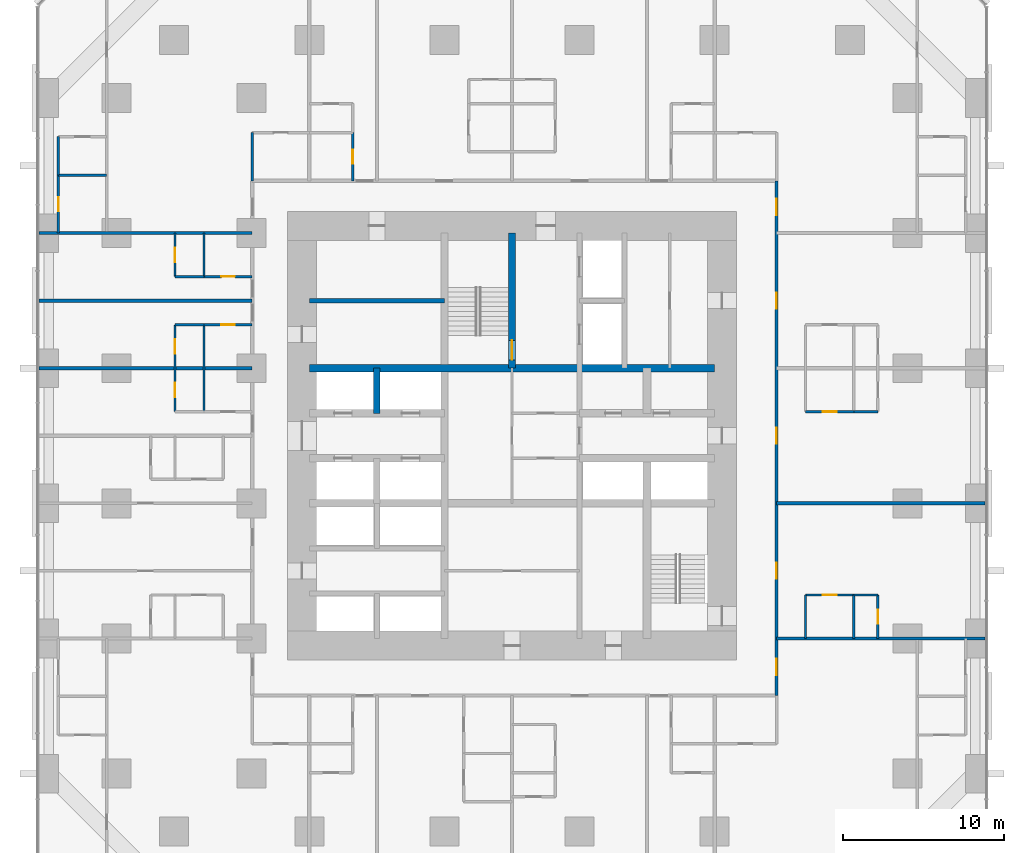
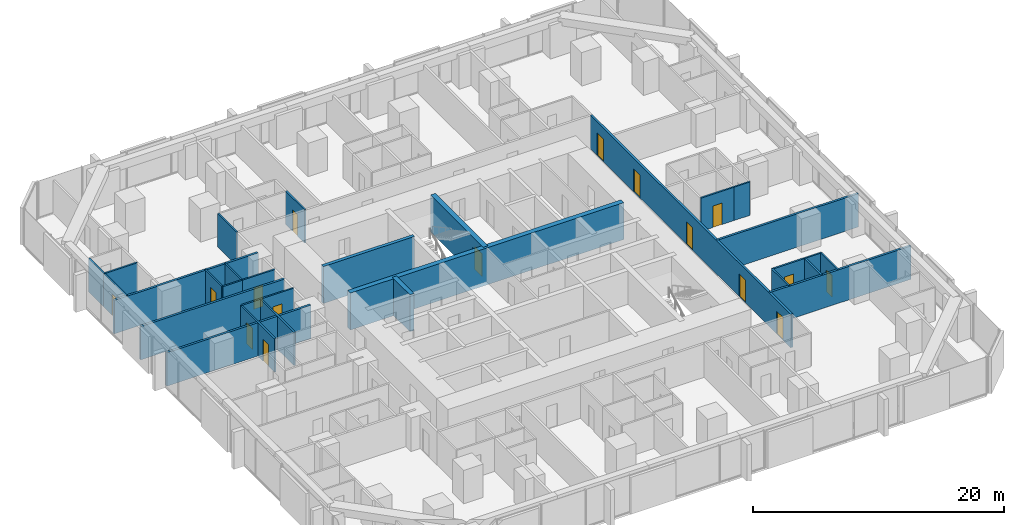
# One storey, part 14 of 17: 30 walls, 16 doors, 16 openings.
"""IFC4 building model written with IfcOpenShell, lengths in metres."""

from ifc_helpers import new_model, si_unit, direction, frame, frame_2d, origin, place, context, subcontext, project, spatial, rectangle, extrude, material, layer, layer_set, type_object, element, fill, save


model = new_model("IFC4")

# Units and contexts
model_context = context("Model", 3, precision=1e-05, world=origin(), true_north=direction((0.0, 1.0)))
body_context = subcontext(model_context, "Body", "Model", "MODEL_VIEW")
ifc_project = project(units=[si_unit("LENGTHUNIT", "METRE"), si_unit("AREAUNIT", "SQUARE_METRE"), si_unit("VOLUMEUNIT", "CUBIC_METRE"), si_unit("PLANEANGLEUNIT", "RADIAN"), si_unit("MASSUNIT", "GRAM", prefix="KILO")], contexts=[model_context])

# Site, building, storey
site_placement = place(None, origin())
site = spatial("IfcSite", under=ifc_project, at=site_placement, CompositionType="ELEMENT")
building_placement = place(site_placement, origin())
building = spatial("IfcBuilding", under=site, at=building_placement, Name="Dunama Terrace Hotel", CompositionType="ELEMENT")
storey_placement = place(building_placement, frame((0.0, 0.0, 41.39990234375)))
storey = spatial("IfcBuildingStorey", under=building, at=storey_placement, Name="L09", CompositionType="ELEMENT", Elevation=41.39990234375)

# Wall, opening, door
ifc_material_1 = material(Name="Gypsum board partition", Category="masonry")
ifc_layer_1 = layer(ifc_material_1, 0.14990234375)
ifc_layer_set_1 = layer_set([ifc_layer_1], Name="Bathroom partition 150")
wall_type_1 = type_object("IfcWallType", Name="Bathroom partition 150", PredefinedType="PARTITIONING", material=ifc_layer_set_1)
wall_1_placement = place(storey_placement, frame((1.199951171875, 42.0, 0.0), z_axis=(0.0, 0.0, 1.0), x_axis=(0.0, 1.0, 0.0)))
wall_1 = element("IfcWall", 1, at=wall_1_placement, inside=storey, type_object=wall_type_1, Name="Bathroom partition 150 L09", PredefinedType="PARTITIONING", context=body_context, shape_type="SweptSolid", body=[
    extrude(rectangle(XDim=3.60009765625, YDim=0.14990234375, at=frame_2d((1.800048828125, 0.0))), origin(), (0.0, 0.0, 1.0), 3.25),
])
opening_1_placement = place(wall_1_placement, frame((1.375, 0.0, 0.0)))
opening_1 = element("IfcOpeningElement", 2, at=opening_1_placement, cuts=wall_1, Name="Opening L07-09-076", PredefinedType="OPENING", context=body_context, shape_type="SweptSolid", body=[
    extrude(rectangle(XDim=0.85009765625, YDim=2.10009765625, at=frame_2d((0.425048828125, 1.050048828125))), frame((0.0, 0.0849609375, 0.0), z_axis=(0.0, -1.0, 0.0), x_axis=(1.0, 0.0, 0.0)), (0.0, 0.0, 1.0), 0.169921875),
])
ifc_material_2 = material(Name="Timber door with steel frame", Category="steel")
door_type_1 = type_object("IfcDoorType", Name="Bathroom door 850", OperationType="SINGLE_SWING_LEFT", PredefinedType="DOOR", material=ifc_material_2)
door_1_placement = place(opening_1_placement, frame((0.85009765625, 0.0, 0.0), z_axis=(0.0, 0.0, 1.0), x_axis=(-1.0, 0.0, 0.0)))
door_1 = element("IfcDoor", 3, at=door_1_placement, inside=storey, type_object=door_type_1, Name="Door to en-suite bathroom L07-09-076, type D2", OperationType="SINGLE_SWING_RIGHT", OverallHeight=2.10009765625, OverallWidth=0.85009765625, PredefinedType="DOOR", context=body_context, shape_type="SweptSolid", body=[
    extrude(rectangle(XDim=0.85009765625, YDim=2.10009765625, at=frame_2d((0.425048828125, 1.050048828125))), frame((0.0, 0.025146484375, 0.0), z_axis=(0.0, -1.0, 0.0), x_axis=(1.0, 0.0, 0.0)), (0.0, 0.0, 1.0), 0.050048828125),
])
fill(opening_1, door_1)

# Wall
wall_2_placement = place(storey_placement, frame((13.25, 45.25, 0.0), z_axis=(0.0, 0.0, 1.0), x_axis=(0.0, 1.0, 0.0)))
element("IfcWall", 4, at=wall_2_placement, inside=storey, type_object=wall_type_1, Name="Bathroom partition 150 L09", PredefinedType="PARTITIONING", context=body_context, shape_type="SweptSolid", body=[
    extrude(rectangle(XDim=3.0, YDim=0.14990234375, at=frame_2d((1.5, 0.0))), origin(), (0.0, 0.0, 1.0), 3.25),
])

# Wall, opening, door
wall_3_placement = place(storey_placement, frame((19.5, 45.25, 0.0), z_axis=(0.0, 0.0, 1.0), x_axis=(0.0, 1.0, 0.0)))
wall_3 = element("IfcWall", 5, at=wall_3_placement, inside=storey, type_object=wall_type_1, Name="Bathroom partition 150 L09", PredefinedType="PARTITIONING", context=body_context, shape_type="SweptSolid", body=[
    extrude(rectangle(XDim=3.0, YDim=0.14990234375, at=frame_2d((1.5, 0.0))), origin(), (0.0, 0.0, 1.0), 3.25),
])
opening_2_placement = place(wall_3_placement, frame((1.074951171875, 0.0, 0.0)))
opening_2 = element("IfcOpeningElement", 6, at=opening_2_placement, cuts=wall_3, Name="Opening L07-09-031", PredefinedType="OPENING", context=body_context, shape_type="SweptSolid", body=[
    extrude(rectangle(XDim=0.85009765625, YDim=2.10009765625, at=frame_2d((0.425048828125, 1.050048828125))), frame((0.0, 0.0849609375, 0.0), z_axis=(0.0, -1.0, 0.0), x_axis=(1.0, 0.0, 0.0)), (0.0, 0.0, 1.0), 0.169921875),
])
door_2_placement = place(opening_2_placement, origin())
door_2 = element("IfcDoor", 7, at=door_2_placement, inside=storey, type_object=door_type_1, Name="Door to en-suite bathroom L07-09-031, type D2", OperationType="SINGLE_SWING_LEFT", OverallHeight=2.10009765625, OverallWidth=0.85009765625, PredefinedType="DOOR", context=body_context, shape_type="SweptSolid", body=[
    extrude(rectangle(XDim=0.85009765625, YDim=2.10009765625, at=frame_2d((0.425048828125, 1.050048828125))), frame((0.0, 0.02490234375, 0.0), z_axis=(0.0, -1.0, 0.0), x_axis=(1.0, 0.0, 0.0)), (0.0, 0.0, 1.0), 0.050048828125),
])
fill(opening_2, door_2)

# Wall
wall_4_placement = place(storey_placement, frame((47.64990234375, 16.800048828125, 0.0), z_axis=(0.0, 0.0, 1.0), x_axis=(0.0, 1.0, 0.0)))
element("IfcWall", 8, at=wall_4_placement, inside=storey, type_object=wall_type_1, Name="Bathroom partition 150 L09", PredefinedType="PARTITIONING", context=body_context, shape_type="SweptSolid", body=[
    extrude(rectangle(XDim=2.699951171875, YDim=0.14990234375, at=frame_2d((1.35009765625, 0.0))), origin(), (0.0, 0.0, 1.0), 3.25),
])

# Wall, opening, door
wall_5_placement = place(storey_placement, frame((47.64990234375, 19.5, 0.0), z_axis=(0.0, 0.0, 1.0), x_axis=(1.0, 0.0, 0.0)))
wall_5 = element("IfcWall", 9, at=wall_5_placement, inside=storey, type_object=wall_type_1, Name="Bathroom partition 150 L09", PredefinedType="PARTITIONING", context=body_context, shape_type="SweptSolid", body=[
    extrude(rectangle(XDim=3.0, YDim=0.14990234375, at=frame_2d((1.5, 0.0))), origin(), (0.0, 0.0, 1.0), 3.25),
])
opening_3_placement = place(wall_5_placement, frame((1.074951171875, 0.0, 0.0)))
opening_3 = element("IfcOpeningElement", 10, at=opening_3_placement, cuts=wall_5, Name="Opening L07-09-022", PredefinedType="OPENING", context=body_context, shape_type="SweptSolid", body=[
    extrude(rectangle(XDim=0.85009765625, YDim=2.10009765625, at=frame_2d((0.425048828125, 1.050048828125))), frame((0.0, 0.0849609375, 0.0), z_axis=(0.0, -1.0, 0.0), x_axis=(1.0, 0.0, 0.0)), (0.0, 0.0, 1.0), 0.169921875),
])
door_3_placement = place(opening_3_placement, frame((0.85009765625, 0.0, 0.0), z_axis=(0.0, 0.0, 1.0), x_axis=(-1.0, 0.0, 0.0)))
door_3 = element("IfcDoor", 11, at=door_3_placement, inside=storey, type_object=door_type_1, Name="Door to en-suite bathroom L07-09-022, type D2", OperationType="SINGLE_SWING_LEFT", OverallHeight=2.10009765625, OverallWidth=0.85009765625, PredefinedType="DOOR", context=body_context, shape_type="SweptSolid", body=[
    extrude(rectangle(XDim=0.85009765625, YDim=2.10009765625, at=frame_2d((0.425048828125, 1.050048828125))), frame((0.0, 0.025146484375, 0.0), z_axis=(0.0, -1.0, 0.0), x_axis=(1.0, 0.0, 0.0)), (0.0, 0.0, 1.0), 0.050048828125),
])
fill(opening_3, door_3)

wall_6_placement = place(storey_placement, frame((47.64990234375, 30.89990234375, 0.0), z_axis=(0.0, 0.0, 1.0), x_axis=(1.0, 0.0, 0.0)))
wall_6 = element("IfcWall", 12, at=wall_6_placement, inside=storey, type_object=wall_type_1, Name="Bathroom partition 150 L09", PredefinedType="PARTITIONING", context=body_context, shape_type="SweptSolid", body=[
    extrude(rectangle(XDim=3.0, YDim=0.14990234375, at=frame_2d((1.5, 0.0))), origin(), (0.0, 0.0, 1.0), 3.25),
])
opening_4_placement = place(wall_6_placement, frame((1.074951171875, 0.0, 0.0)))
opening_4 = element("IfcOpeningElement", 13, at=opening_4_placement, cuts=wall_6, Name="Opening L07-09-025", PredefinedType="OPENING", context=body_context, shape_type="SweptSolid", body=[
    extrude(rectangle(XDim=0.85009765625, YDim=2.10009765625, at=frame_2d((0.425048828125, 1.050048828125))), frame((0.0, 0.0849609375, 0.0), z_axis=(0.0, -1.0, 0.0), x_axis=(1.0, 0.0, 0.0)), (0.0, 0.0, 1.0), 0.169921875),
])
door_4_placement = place(opening_4_placement, origin())
door_4 = element("IfcDoor", 14, at=door_4_placement, inside=storey, type_object=door_type_1, Name="Door to en-suite bathroom L07-09-025, type D2", OperationType="SINGLE_SWING_RIGHT", OverallHeight=2.10009765625, OverallWidth=0.85009765625, PredefinedType="DOOR", context=body_context, shape_type="SweptSolid", body=[
    extrude(rectangle(XDim=0.85009765625, YDim=2.10009765625, at=frame_2d((0.425048828125, 1.050048828125))), frame((0.0, 0.02490234375, 0.0), z_axis=(0.0, -1.0, 0.0), x_axis=(1.0, 0.0, 0.0)), (0.0, 0.0, 1.0), 0.050048828125),
])
fill(opening_4, door_4)

wall_7_placement = place(storey_placement, frame((10.25, 36.300048828125, 0.0), z_axis=(0.0, 0.0, 1.0), x_axis=(1.0, 0.0, 0.0)))
wall_7 = element("IfcWall", 15, at=wall_7_placement, inside=storey, type_object=wall_type_1, Name="Bathroom partition 150 L09", PredefinedType="PARTITIONING", context=body_context, shape_type="SweptSolid", body=[
    extrude(rectangle(XDim=3.0, YDim=0.14990234375, at=frame_2d((1.5, 0.0))), origin(), (0.0, 0.0, 1.0), 3.25),
])
opening_5_placement = place(wall_7_placement, frame((1.074951171875, 0.0, 0.0)))
opening_5 = element("IfcOpeningElement", 16, at=opening_5_placement, cuts=wall_7, Name="Opening L07-09-053", PredefinedType="OPENING", context=body_context, shape_type="SweptSolid", body=[
    extrude(rectangle(XDim=0.85009765625, YDim=2.10009765625, at=frame_2d((0.425048828125, 1.050048828125))), frame((0.0, 0.0849609375, 0.0), z_axis=(0.0, -1.0, 0.0), x_axis=(1.0, 0.0, 0.0)), (0.0, 0.0, 1.0), 0.169921875),
])
door_5_placement = place(opening_5_placement, frame((0.85009765625, 0.0, 0.0), z_axis=(0.0, 0.0, 1.0), x_axis=(-1.0, 0.0, 0.0)))
door_5 = element("IfcDoor", 17, at=door_5_placement, inside=storey, type_object=door_type_1, Name="Door to en-suite bathroom L07-09-053, type D2", OperationType="SINGLE_SWING_LEFT", OverallHeight=2.10009765625, OverallWidth=0.85009765625, PredefinedType="DOOR", context=body_context, shape_type="SweptSolid", body=[
    extrude(rectangle(XDim=0.85009765625, YDim=2.10009765625, at=frame_2d((0.425048828125, 1.050048828125))), frame((0.0, 0.025146484375, 0.0), z_axis=(0.0, -1.0, 0.0), x_axis=(1.0, 0.0, 0.0)), (0.0, 0.0, 1.0), 0.050048828125),
])
fill(opening_5, door_5)

wall_8_placement = place(storey_placement, frame((10.25, 39.300048828125, 0.0), z_axis=(0.0, 0.0, 1.0), x_axis=(1.0, 0.0, 0.0)))
wall_8 = element("IfcWall", 18, at=wall_8_placement, inside=storey, type_object=wall_type_1, Name="Bathroom partition 150 L09", PredefinedType="PARTITIONING", context=body_context, shape_type="SweptSolid", body=[
    extrude(rectangle(XDim=3.0, YDim=0.14990234375, at=frame_2d((1.5, 0.0))), origin(), (0.0, 0.0, 1.0), 3.25),
])
opening_6_placement = place(wall_8_placement, frame((1.074951171875, 0.0, 0.0)))
opening_6 = element("IfcOpeningElement", 19, at=opening_6_placement, cuts=wall_8, Name="Opening L07-09-056", PredefinedType="OPENING", context=body_context, shape_type="SweptSolid", body=[
    extrude(rectangle(XDim=0.85009765625, YDim=2.10009765625, at=frame_2d((0.425048828125, 1.050048828125))), frame((0.0, 0.0849609375, 0.0), z_axis=(0.0, -1.0, 0.0), x_axis=(1.0, 0.0, 0.0)), (0.0, 0.0, 1.0), 0.169921875),
])
door_6_placement = place(opening_6_placement, origin())
door_6 = element("IfcDoor", 20, at=door_6_placement, inside=storey, type_object=door_type_1, Name="Door to en-suite bathroom L07-09-056, type D2", OperationType="SINGLE_SWING_RIGHT", OverallHeight=2.10009765625, OverallWidth=0.85009765625, PredefinedType="DOOR", context=body_context, shape_type="SweptSolid", body=[
    extrude(rectangle(XDim=0.85009765625, YDim=2.10009765625, at=frame_2d((0.425048828125, 1.050048828125))), frame((0.0, 0.02490234375, 0.0), z_axis=(0.0, -1.0, 0.0), x_axis=(1.0, 0.0, 0.0)), (0.0, 0.0, 1.0), 0.050048828125),
])
fill(opening_6, door_6)

# Walls
ifc_material_3 = material(Name="Concrete C50/60", Category="concrete")
ifc_layer_2 = layer(ifc_material_3, 0.300048828125)
ifc_layer_set_2 = layer_set([ifc_layer_2], Name="Core inner wall 300")
wall_type_2 = type_object("IfcWallType", Name="Core inner wall 300", PredefinedType="SHEAR", material=ifc_layer_set_2)
wall_9_placement = place(storey_placement, frame((16.800048828125, 37.800048828125, -0.349853515625), z_axis=(0.0, 0.0, 1.0), x_axis=(1.0, 0.0, 0.0)))
element("IfcWall", 21, at=wall_9_placement, inside=storey, type_object=wall_type_2, Name="Core inner wall 300 L09", PredefinedType="SHEAR", context=body_context, shape_type="SweptSolid", body=[
    extrude(rectangle(XDim=8.39990234375, YDim=0.300048828125, at=frame_2d((4.199951171875, 0.0))), origin(), (0.0, 0.0, 1.0), 3.599853515625),
])
ifc_material_4 = material(Name="Concrete C50/60", Category="concrete")
ifc_layer_3 = layer(ifc_material_4, 0.39990234375)
ifc_layer_set_3 = layer_set([ifc_layer_3], Name="Core inner wall 400")
wall_type_3 = type_object("IfcWallType", Name="Core inner wall 400", PredefinedType="SHEAR", material=ifc_layer_set_3)
wall_10_placement = place(storey_placement, frame((21.0, 30.800048828125, -0.349853515625), z_axis=(0.0, 0.0, 1.0), x_axis=(0.0, 1.0, 0.0)))
element("IfcWall", 22, at=wall_10_placement, inside=storey, type_object=wall_type_3, Name="Core inner wall 400 L09", PredefinedType="SHEAR", context=body_context, shape_type="SweptSolid", body=[
    extrude(rectangle(XDim=2.800048828125, YDim=0.39990234375, at=frame_2d((1.39990234375, 0.0))), origin(), (0.0, 0.0, 1.0), 3.599853515625),
])

# Wall, opening, door
ifc_material_5 = material(Name="Concrete C50/60", Category="concrete")
ifc_layer_4 = layer(ifc_material_5, 0.449951171875)
ifc_layer_set_4 = layer_set([ifc_layer_4], Name="Core inner wall 450")
wall_type_4 = type_object("IfcWallType", Name="Core inner wall 450", PredefinedType="SHEAR", material=ifc_layer_set_4)
wall_11_placement = place(storey_placement, frame((29.39990234375, 33.60009765625, -0.349853515625), z_axis=(0.0, 0.0, 1.0), x_axis=(0.0, 1.0, 0.0)))
wall_11 = element("IfcWall", 23, at=wall_11_placement, inside=storey, type_object=wall_type_4, Name="Core inner wall 450 L09", PredefinedType="SHEAR", context=body_context, shape_type="SweptSolid", body=[
    extrude(rectangle(XDim=8.39990234375, YDim=0.449951171875, at=frame_2d((4.199951171875, 0.0))), origin(), (0.0, 0.0, 1.0), 3.599853515625),
])
opening_7_placement = place(wall_11_placement, frame((0.52490234375, 0.0, 0.35009765625)))
opening_7 = element("IfcOpeningElement", 24, at=opening_7_placement, cuts=wall_11, Name="Opening L07-09-001", PredefinedType="OPENING", context=body_context, shape_type="SweptSolid", body=[
    extrude(rectangle(XDim=1.199951171875, YDim=2.199951171875, at=frame_2d((0.60009765625, 1.10009765625))), frame((0.0, 0.23486328125, 0.0), z_axis=(0.0, -1.0, 0.0), x_axis=(1.0, 0.0, 0.0)), (0.0, 0.0, 1.0), 0.469970703125),
])
ifc_material_6 = material(Name="Timber door with steel frame", Category="steel")
door_type_2 = type_object("IfcDoorType", Name="Stair door 1200", OperationType="SINGLE_SWING_LEFT", PredefinedType="DOOR", material=ifc_material_6)
door_7_placement = place(opening_7_placement, origin())
door_7 = element("IfcDoor", 25, at=door_7_placement, inside=storey, type_object=door_type_2, Name="Stair door ST1 L07-09-001, type D5", OperationType="SINGLE_SWING_LEFT", OverallHeight=2.199951171875, OverallWidth=1.199951171875, PredefinedType="DOOR", context=body_context, shape_type="SweptSolid", body=[
    extrude(rectangle(XDim=1.199951171875, YDim=2.199951171875, at=frame_2d((0.60009765625, 1.10009765625))), frame((0.0, 0.02490234375, 0.0), z_axis=(0.0, -1.0, 0.0), x_axis=(1.0, 0.0, 0.0)), (0.0, 0.0, 1.0), 0.050048828125),
])
fill(opening_7, door_7)

# Wall
wall_12_placement = place(storey_placement, frame((16.800048828125, 33.60009765625, -0.349853515625), z_axis=(0.0, 0.0, 1.0), x_axis=(1.0, 0.0, 0.0)))
element("IfcWall", 26, at=wall_12_placement, inside=storey, type_object=wall_type_4, Name="Core inner wall 450 L09", PredefinedType="SHEAR", context=body_context, shape_type="SweptSolid", body=[
    extrude(rectangle(XDim=25.199951171875, YDim=0.449951171875, at=frame_2d((12.60009765625, 0.0))), origin(), (0.0, 0.0, 1.0), 3.599853515625),
])

# Wall, openings, doors
ifc_material_7 = material(Name="Concrete blockwork", Category="masonry")
ifc_layer_5 = layer(ifc_material_7, 0.199951171875)
ifc_layer_set_5 = layer_set([ifc_layer_5], Name="Corridor partition 200")
wall_type_5 = type_object("IfcWallType", Name="Corridor partition 200", PredefinedType="PARTITIONING", material=ifc_layer_set_5)
wall_13_placement = place(storey_placement, frame((45.85009765625, 45.25, 0.0), z_axis=(0.0, 0.0, 1.0), x_axis=(0.0, -1.0, 0.0)))
wall_13 = element("IfcWall", 27, at=wall_13_placement, inside=storey, type_object=wall_type_5, Name="Corridor partition 200 L09", PredefinedType="PARTITIONING", context=body_context, shape_type="SweptSolid", body=[
    extrude(rectangle(XDim=32.0, YDim=0.199951171875, at=frame_2d((16.0, 0.0))), origin(), (0.0, 0.0, 1.0), 3.25),
])
opening_8_placement = place(wall_13_placement, frame((23.75, 0.0, 0.0)))
opening_8 = element("IfcOpeningElement", 28, at=opening_8_placement, cuts=wall_13, Name="Opening L07-09-021", PredefinedType="OPENING", context=body_context, shape_type="SweptSolid", body=[
    extrude(rectangle(XDim=1.0, YDim=2.199951171875, at=frame_2d((0.5, 1.10009765625))), frame((0.0, 0.10986328125, 0.0), z_axis=(0.0, -1.0, 0.0), x_axis=(1.0, 0.0, 0.0)), (0.0, 0.0, 1.0), 0.219970703125),
])
opening_9_placement = place(wall_13_placement, frame((15.35009765625, 0.0, 0.0)))
opening_9 = element("IfcOpeningElement", 29, at=opening_9_placement, cuts=wall_13, Name="Opening L07-09-024", PredefinedType="OPENING", context=body_context, shape_type="SweptSolid", body=[
    extrude(rectangle(XDim=1.0, YDim=2.199951171875, at=frame_2d((0.5, 1.10009765625))), frame((0.0, 0.10986328125, 0.0), z_axis=(0.0, -1.0, 0.0), x_axis=(1.0, 0.0, 0.0)), (0.0, 0.0, 1.0), 0.219970703125),
])
opening_10_placement = place(wall_13_placement, frame((6.949951171875, 0.0, 0.0)))
opening_10 = element("IfcOpeningElement", 30, at=opening_10_placement, cuts=wall_13, Name="Opening L07-09-027", PredefinedType="OPENING", context=body_context, shape_type="SweptSolid", body=[
    extrude(rectangle(XDim=1.0, YDim=2.199951171875, at=frame_2d((0.5, 1.10009765625))), frame((0.0, 0.10986328125, 0.0), z_axis=(0.0, -1.0, 0.0), x_axis=(1.0, 0.0, 0.0)), (0.0, 0.0, 1.0), 0.219970703125),
])
opening_11_placement = place(wall_13_placement, frame((29.72509765625, 0.0, 0.0)))
opening_11 = element("IfcOpeningElement", 31, at=opening_11_placement, cuts=wall_13, Name="Opening L07-09-063", PredefinedType="OPENING", context=body_context, shape_type="SweptSolid", body=[
    extrude(rectangle(XDim=1.0, YDim=2.199951171875, at=frame_2d((0.5, 1.10009765625))), frame((0.0, 0.10986328125, 0.0), z_axis=(0.0, -1.0, 0.0), x_axis=(1.0, 0.0, 0.0)), (0.0, 0.0, 1.0), 0.219970703125),
])
opening_12_placement = place(wall_13_placement, frame((1.125, 0.0, 0.0)))
opening_12 = element("IfcOpeningElement", 32, at=opening_12_placement, cuts=wall_13, Name="Opening L07-09-068", PredefinedType="OPENING", context=body_context, shape_type="SweptSolid", body=[
    extrude(rectangle(XDim=1.0, YDim=2.199951171875, at=frame_2d((0.5, 1.10009765625))), frame((0.0, 0.10986328125, 0.0), z_axis=(0.0, -1.0, 0.0), x_axis=(1.0, 0.0, 0.0)), (0.0, 0.0, 1.0), 0.219970703125),
])
ifc_material_8 = material(Name="Timber door with steel frame", Category="steel")
door_type_3 = type_object("IfcDoorType", Name="Guest room door 1000", OperationType="SINGLE_SWING_LEFT", PredefinedType="DOOR", material=ifc_material_8)
door_8_placement = place(opening_8_placement, origin())
door_8 = element("IfcDoor", 33, at=door_8_placement, inside=storey, type_object=door_type_3, Name="Door to junior suite L07-09-021, type D1", OperationType="SINGLE_SWING_RIGHT", OverallHeight=2.199951171875, OverallWidth=1.0, PredefinedType="DOOR", context=body_context, shape_type="SweptSolid", body=[
    extrude(rectangle(XDim=1.0, YDim=2.199951171875, at=frame_2d((0.5, 1.10009765625))), frame((0.0, 0.02490234375, 0.0), z_axis=(0.0, -1.0, 0.0), x_axis=(1.0, 0.0, 0.0)), (0.0, 0.0, 1.0), 0.050048828125),
])
fill(opening_8, door_8)
door_9_placement = place(opening_9_placement, origin())
door_9 = element("IfcDoor", 34, at=door_9_placement, inside=storey, type_object=door_type_3, Name="Door to junior suite L07-09-024, type D1", OperationType="SINGLE_SWING_LEFT", OverallHeight=2.199951171875, OverallWidth=1.0, PredefinedType="DOOR", context=body_context, shape_type="SweptSolid", body=[
    extrude(rectangle(XDim=1.0, YDim=2.199951171875, at=frame_2d((0.5, 1.10009765625))), frame((0.0, 0.02490234375, 0.0), z_axis=(0.0, -1.0, 0.0), x_axis=(1.0, 0.0, 0.0)), (0.0, 0.0, 1.0), 0.050048828125),
])
fill(opening_9, door_9)
door_10_placement = place(opening_10_placement, origin())
door_10 = element("IfcDoor", 35, at=door_10_placement, inside=storey, type_object=door_type_3, Name="Door to junior suite L07-09-027, type D1", OperationType="SINGLE_SWING_RIGHT", OverallHeight=2.199951171875, OverallWidth=1.0, PredefinedType="DOOR", context=body_context, shape_type="SweptSolid", body=[
    extrude(rectangle(XDim=1.0, YDim=2.199951171875, at=frame_2d((0.5, 1.10009765625))), frame((0.0, 0.02490234375, 0.0), z_axis=(0.0, -1.0, 0.0), x_axis=(1.0, 0.0, 0.0)), (0.0, 0.0, 1.0), 0.050048828125),
])
fill(opening_10, door_10)
door_11_placement = place(opening_11_placement, origin())
door_11 = element("IfcDoor", 36, at=door_11_placement, inside=storey, type_object=door_type_3, Name="Door to corner suite living room L07-09-063, type D1", OperationType="SINGLE_SWING_RIGHT", OverallHeight=2.199951171875, OverallWidth=1.0, PredefinedType="DOOR", context=body_context, shape_type="SweptSolid", body=[
    extrude(rectangle(XDim=1.0, YDim=2.199951171875, at=frame_2d((0.5, 1.10009765625))), frame((0.0, 0.02490234375, 0.0), z_axis=(0.0, -1.0, 0.0), x_axis=(1.0, 0.0, 0.0)), (0.0, 0.0, 1.0), 0.050048828125),
])
fill(opening_11, door_11)
door_12_placement = place(opening_12_placement, origin())
door_12 = element("IfcDoor", 37, at=door_12_placement, inside=storey, type_object=door_type_3, Name="Door to corner suite living room L07-09-068, type D1", OperationType="SINGLE_SWING_LEFT", OverallHeight=2.199951171875, OverallWidth=1.0, PredefinedType="DOOR", context=body_context, shape_type="SweptSolid", body=[
    extrude(rectangle(XDim=1.0, YDim=2.199951171875, at=frame_2d((0.5, 1.10009765625))), frame((0.0, 0.02490234375, 0.0), z_axis=(0.0, -1.0, 0.0), x_axis=(1.0, 0.0, 0.0)), (0.0, 0.0, 1.0), 0.050048828125),
])
fill(opening_12, door_12)

# Walls
ifc_material_9 = material(Name="Concrete blockwork", Category="masonry")
ifc_layer_6 = layer(ifc_material_9, 0.199951171875)
ifc_layer_set_6 = layer_set([ifc_layer_6], Name="Party wall 200")
wall_type_6 = type_object("IfcWallType", Name="Party wall 200", PredefinedType="PARTITIONING", material=ifc_layer_set_6)
for number, where, z_axis, x_axis, name in (
    (38, (45.85009765625, 16.800048828125, 0.0), (0.0, 0.0, 1.0), (1.0, 0.0, 0.0), "Party wall 200 L09"),
    (39, (45.85009765625, 25.199951171875, 0.0), (0.0, 0.0, 1.0), (1.0, 0.0, 0.0), "Party wall 200 L09"),
):
    element("IfcWall", number, at=place(storey_placement, frame(where, z_axis=z_axis, x_axis=x_axis)), inside=storey, type_object=wall_type_6, Name=name, PredefinedType="PARTITIONING", context=body_context, shape_type="SweptSolid", body=[
        extrude(rectangle(XDim=12.9580078125, YDim=0.199951171875, at=frame_2d((6.47900390625, 0.0))), origin(), (0.0, 0.0, 1.0), 3.25),
    ])
for number, where, z_axis, x_axis, name in (
    (40, (-0.008056640625, 33.60009765625, 0.0), (0.0, 0.0, 1.0), (1.0, 0.0, 0.0), "Party wall 200 L09"),
    (41, (-0.008056640625, 37.800048828125, 0.0), (0.0, 0.0, 1.0), (1.0, 0.0, 0.0), "Party wall 200 L09"),
    (42, (-0.008056640625, 42.0, 0.0), (0.0, 0.0, 1.0), (1.0, 0.0, 0.0), "Party wall 200 L09"),
):
    element("IfcWall", number, at=place(storey_placement, frame(where, z_axis=z_axis, x_axis=x_axis)), inside=storey, type_object=wall_type_6, Name=name, PredefinedType="PARTITIONING", context=body_context, shape_type="SweptSolid", body=[
        extrude(rectangle(XDim=13.258056640625, YDim=0.199951171875, at=frame_2d((6.62890625, 0.0))), origin(), (0.0, 0.0, 1.0), 3.25),
    ])
ifc_material_10 = material(Name="Gypsum board partition", Category="masonry")
ifc_layer_7 = layer(ifc_material_10, 0.14990234375)
ifc_layer_set_7 = layer_set([ifc_layer_7], Name="Room partition 150")
wall_type_7 = type_object("IfcWallType", Name="Room partition 150", PredefinedType="PARTITIONING", material=ifc_layer_set_7)
wall_14_placement = place(storey_placement, frame((1.199951171875, 45.60009765625, 0.0), z_axis=(0.0, 0.0, 1.0), x_axis=(0.0, 1.0, 0.0)))
element("IfcWall", 43, at=wall_14_placement, inside=storey, type_object=wall_type_7, Name="Room partition 150 L09", PredefinedType="PARTITIONING", context=body_context, shape_type="SweptSolid", body=[
    extrude(rectangle(XDim=2.39990234375, YDim=0.14990234375, at=frame_2d((1.199951171875, 0.0))), origin(), (0.0, 0.0, 1.0), 3.25),
])

# Wall, openings, doors
wall_15_placement = place(storey_placement, frame((8.449951171875, 30.89990234375, 0.0), z_axis=(0.0, 0.0, 1.0), x_axis=(0.0, 1.0, 0.0)))
wall_15 = element("IfcWall", 44, at=wall_15_placement, inside=storey, type_object=wall_type_7, Name="Room partition 150 L09", PredefinedType="PARTITIONING", context=body_context, shape_type="SweptSolid", body=[
    extrude(rectangle(XDim=5.400146484375, YDim=0.14990234375, at=frame_2d((2.7001953125, 0.0))), origin(), (0.0, 0.0, 1.0), 3.25),
])
opening_13_placement = place(wall_15_placement, frame((0.89990234375, 0.0, 0.0)))
opening_13 = element("IfcOpeningElement", 45, at=opening_13_placement, cuts=wall_15, Name="Opening L07-09-051", PredefinedType="OPENING", context=body_context, shape_type="SweptSolid", body=[
    extrude(rectangle(XDim=0.89990234375, YDim=2.10009765625, at=frame_2d((0.449951171875, 1.050048828125))), frame((0.0, 0.0849609375, 0.0), z_axis=(0.0, -1.0, 0.0), x_axis=(1.0, 0.0, 0.0)), (0.0, 0.0, 1.0), 0.169921875),
])
opening_14_placement = place(wall_15_placement, frame((3.60009765625, 0.0, 0.0)))
opening_14 = element("IfcOpeningElement", 46, at=opening_14_placement, cuts=wall_15, Name="Opening L07-09-054", PredefinedType="OPENING", context=body_context, shape_type="SweptSolid", body=[
    extrude(rectangle(XDim=0.89990234375, YDim=2.10009765625, at=frame_2d((0.449951171875, 1.050048828125))), frame((0.0, 0.0849609375, 0.0), z_axis=(0.0, -1.0, 0.0), x_axis=(1.0, 0.0, 0.0)), (0.0, 0.0, 1.0), 0.169921875),
])
ifc_material_11 = material(Name="Timber door with steel frame", Category="steel")
door_type_4 = type_object("IfcDoorType", Name="Suite internal door 900", OperationType="SINGLE_SWING_LEFT", PredefinedType="DOOR", material=ifc_material_11)
door_13_placement = place(opening_13_placement, frame((0.89990234375, 0.0, 0.0), z_axis=(0.0, 0.0, 1.0), x_axis=(-1.0, 0.0, 0.0)))
door_13 = element("IfcDoor", 47, at=door_13_placement, inside=storey, type_object=door_type_4, Name="Door to walk-in wardrobe L07-09-051, type D16", OperationType="SINGLE_SWING_LEFT", OverallHeight=2.10009765625, OverallWidth=0.89990234375, PredefinedType="DOOR", context=body_context, shape_type="SweptSolid", body=[
    extrude(rectangle(XDim=0.89990234375, YDim=2.10009765625, at=frame_2d((0.449951171875, 1.050048828125))), frame((0.0, 0.025146484375, 0.0), z_axis=(0.0, -1.0, 0.0), x_axis=(1.0, 0.0, 0.0)), (0.0, 0.0, 1.0), 0.050048828125),
])
fill(opening_13, door_13)
door_14_placement = place(opening_14_placement, frame((0.89990234375, 0.0, 0.0), z_axis=(0.0, 0.0, 1.0), x_axis=(-1.0, 0.0, 0.0)))
door_14 = element("IfcDoor", 48, at=door_14_placement, inside=storey, type_object=door_type_4, Name="Door to walk-in wardrobe L07-09-054, type D16", OperationType="SINGLE_SWING_RIGHT", OverallHeight=2.10009765625, OverallWidth=0.89990234375, PredefinedType="DOOR", context=body_context, shape_type="SweptSolid", body=[
    extrude(rectangle(XDim=0.89990234375, YDim=2.10009765625, at=frame_2d((0.449951171875, 1.050048828125))), frame((0.0, 0.025146484375, 0.0), z_axis=(0.0, -1.0, 0.0), x_axis=(1.0, 0.0, 0.0)), (0.0, 0.0, 1.0), 0.050048828125),
])
fill(opening_14, door_14)

# Wall, opening, door
wall_16_placement = place(storey_placement, frame((8.449951171875, 39.300048828125, 0.0), z_axis=(0.0, 0.0, 1.0), x_axis=(0.0, 1.0, 0.0)))
wall_16 = element("IfcWall", 49, at=wall_16_placement, inside=storey, type_object=wall_type_7, Name="Room partition 150 L09", PredefinedType="PARTITIONING", context=body_context, shape_type="SweptSolid", body=[
    extrude(rectangle(XDim=2.699951171875, YDim=0.14990234375, at=frame_2d((1.35009765625, 0.0))), origin(), (0.0, 0.0, 1.0), 3.25),
])
opening_15_placement = place(wall_16_placement, frame((0.89990234375, 0.0, 0.0)))
opening_15 = element("IfcOpeningElement", 50, at=opening_15_placement, cuts=wall_16, Name="Opening L07-09-057", PredefinedType="OPENING", context=body_context, shape_type="SweptSolid", body=[
    extrude(rectangle(XDim=0.89990234375, YDim=2.10009765625, at=frame_2d((0.449951171875, 1.050048828125))), frame((0.0, 0.0849609375, 0.0), z_axis=(0.0, -1.0, 0.0), x_axis=(1.0, 0.0, 0.0)), (0.0, 0.0, 1.0), 0.169921875),
])
door_15_placement = place(opening_15_placement, frame((0.89990234375, 0.0, 0.0), z_axis=(0.0, 0.0, 1.0), x_axis=(-1.0, 0.0, 0.0)))
door_15 = element("IfcDoor", 51, at=door_15_placement, inside=storey, type_object=door_type_4, Name="Door to walk-in wardrobe L07-09-057, type D16", OperationType="SINGLE_SWING_LEFT", OverallHeight=2.10009765625, OverallWidth=0.89990234375, PredefinedType="DOOR", context=body_context, shape_type="SweptSolid", body=[
    extrude(rectangle(XDim=0.89990234375, YDim=2.10009765625, at=frame_2d((0.449951171875, 1.050048828125))), frame((0.0, 0.025146484375, 0.0), z_axis=(0.0, -1.0, 0.0), x_axis=(1.0, 0.0, 0.0)), (0.0, 0.0, 1.0), 0.050048828125),
])
fill(opening_15, door_15)

# Walls
wall_17_placement = place(storey_placement, frame((10.25, 30.89990234375, 0.0), z_axis=(0.0, 0.0, 1.0), x_axis=(0.0, 1.0, 0.0)))
element("IfcWall", 52, at=wall_17_placement, inside=storey, type_object=wall_type_7, Name="Room partition 150 L09", PredefinedType="PARTITIONING", context=body_context, shape_type="SweptSolid", body=[
    extrude(rectangle(XDim=5.400146484375, YDim=0.14990234375, at=frame_2d((2.7001953125, 0.0))), origin(), (0.0, 0.0, 1.0), 3.25),
])
for number, where, z_axis, x_axis, name in (
    (53, (10.25, 39.300048828125, 0.0), (0.0, 0.0, 1.0), (0.0, 1.0, 0.0), "Room partition 150 L09"),
    (54, (50.64990234375, 16.800048828125, 0.0), (0.0, 0.0, 1.0), (0.0, 1.0, 0.0), "Room partition 150 L09"),
):
    element("IfcWall", number, at=place(storey_placement, frame(where, z_axis=z_axis, x_axis=x_axis)), inside=storey, type_object=wall_type_7, Name=name, PredefinedType="PARTITIONING", context=body_context, shape_type="SweptSolid", body=[
        extrude(rectangle(XDim=2.699951171875, YDim=0.14990234375, at=frame_2d((1.35009765625, 0.0))), origin(), (0.0, 0.0, 1.0), 3.25),
    ])

# Wall, opening, door
wall_18_placement = place(storey_placement, frame((52.14990234375, 16.800048828125, 0.0), z_axis=(0.0, 0.0, 1.0), x_axis=(0.0, 1.0, 0.0)))
wall_18 = element("IfcWall", 55, at=wall_18_placement, inside=storey, type_object=wall_type_7, Name="Room partition 150 L09", PredefinedType="PARTITIONING", context=body_context, shape_type="SweptSolid", body=[
    extrude(rectangle(XDim=2.699951171875, YDim=0.14990234375, at=frame_2d((1.35009765625, 0.0))), origin(), (0.0, 0.0, 1.0), 3.25),
])
opening_16_placement = place(wall_18_placement, frame((0.89990234375, 0.0, 0.0)))
opening_16 = element("IfcOpeningElement", 56, at=opening_16_placement, cuts=wall_18, Name="Opening L07-09-023", PredefinedType="OPENING", context=body_context, shape_type="SweptSolid", body=[
    extrude(rectangle(XDim=0.89990234375, YDim=2.10009765625, at=frame_2d((0.449951171875, 1.050048828125))), frame((0.0, 0.0849609375, 0.0), z_axis=(0.0, -1.0, 0.0), x_axis=(1.0, 0.0, 0.0)), (0.0, 0.0, 1.0), 0.169921875),
])
door_16_placement = place(opening_16_placement, origin())
door_16 = element("IfcDoor", 57, at=door_16_placement, inside=storey, type_object=door_type_4, Name="Door to walk-in wardrobe L07-09-023, type D16", OperationType="SINGLE_SWING_LEFT", OverallHeight=2.10009765625, OverallWidth=0.89990234375, PredefinedType="DOOR", context=body_context, shape_type="SweptSolid", body=[
    extrude(rectangle(XDim=0.89990234375, YDim=2.10009765625, at=frame_2d((0.449951171875, 1.050048828125))), frame((0.0, 0.02490234375, 0.0), z_axis=(0.0, -1.0, 0.0), x_axis=(1.0, 0.0, 0.0)), (0.0, 0.0, 1.0), 0.050048828125),
])
fill(opening_16, door_16)

# Walls
for number, where, z_axis, x_axis, name in (
    (58, (50.64990234375, 19.5, 0.0), (0.0, 0.0, 1.0), (1.0, 0.0, 0.0), "Room partition 150 L09"),
    (59, (50.64990234375, 30.89990234375, 0.0), (0.0, 0.0, 1.0), (1.0, 0.0, 0.0), "Room partition 150 L09"),
):
    element("IfcWall", number, at=place(storey_placement, frame(where, z_axis=z_axis, x_axis=x_axis)), inside=storey, type_object=wall_type_7, Name=name, PredefinedType="PARTITIONING", context=body_context, shape_type="SweptSolid", body=[
        extrude(rectangle(XDim=1.5, YDim=0.14990234375, at=frame_2d((0.75, 0.0))), origin(), (0.0, 0.0, 1.0), 3.25),
    ])
for number, where, z_axis, x_axis, name in (
    (60, (8.449951171875, 36.300048828125, 0.0), (0.0, 0.0, 1.0), (1.0, 0.0, 0.0), "Room partition 150 L09"),
    (61, (8.449951171875, 39.300048828125, 0.0), (0.0, 0.0, 1.0), (1.0, 0.0, 0.0), "Room partition 150 L09"),
):
    element("IfcWall", number, at=place(storey_placement, frame(where, z_axis=z_axis, x_axis=x_axis)), inside=storey, type_object=wall_type_7, Name=name, PredefinedType="PARTITIONING", context=body_context, shape_type="SweptSolid", body=[
        extrude(rectangle(XDim=1.800048828125, YDim=0.14990234375, at=frame_2d((0.89990234375, 0.0))), origin(), (0.0, 0.0, 1.0), 3.25),
    ])
wall_19_placement = place(storey_placement, frame((1.199951171875, 45.60009765625, 0.0), z_axis=(0.0, 0.0, 1.0), x_axis=(1.0, 0.0, 0.0)))
element("IfcWall", 62, at=wall_19_placement, inside=storey, type_object=wall_type_7, Name="Room partition 150 L09", PredefinedType="PARTITIONING", context=body_context, shape_type="SweptSolid", body=[
    extrude(rectangle(XDim=3.0, YDim=0.14990234375, at=frame_2d((1.5, 0.0))), origin(), (0.0, 0.0, 1.0), 3.25),
])

save(model, "model.ifc")
